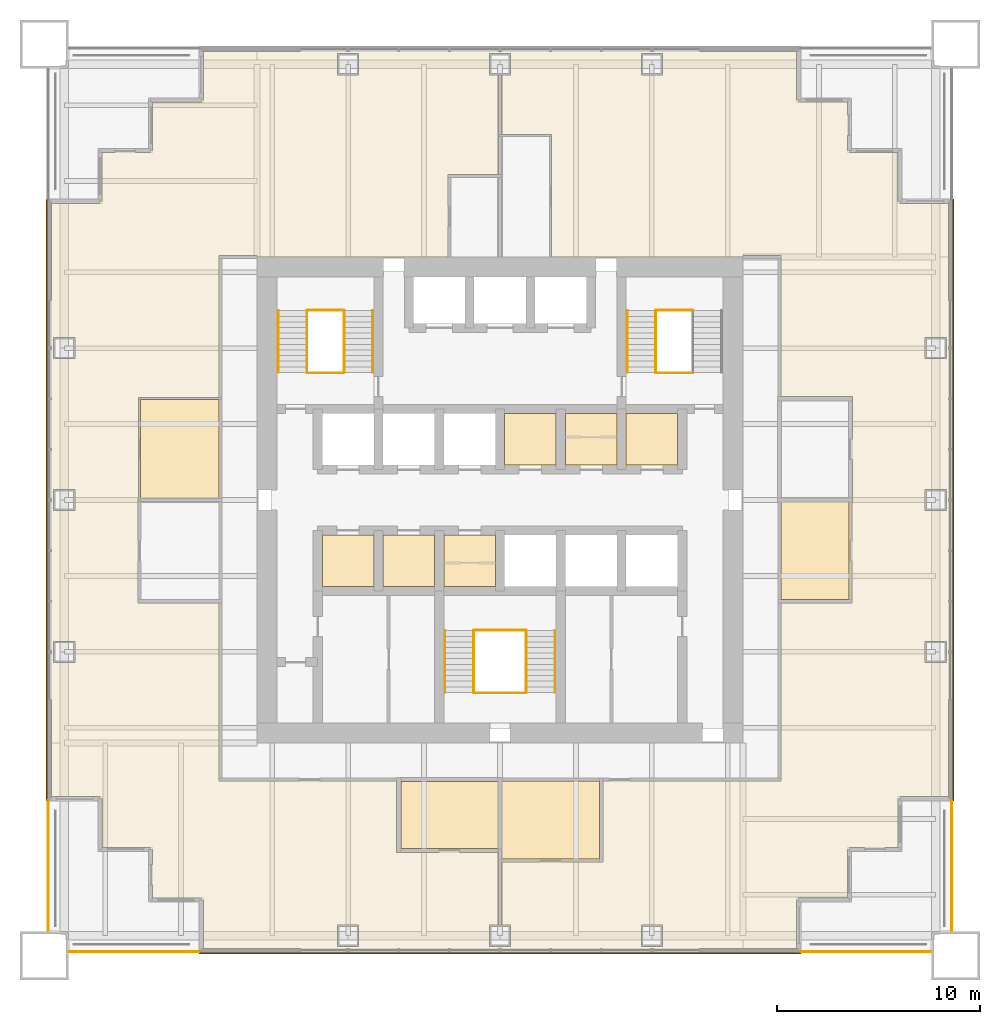
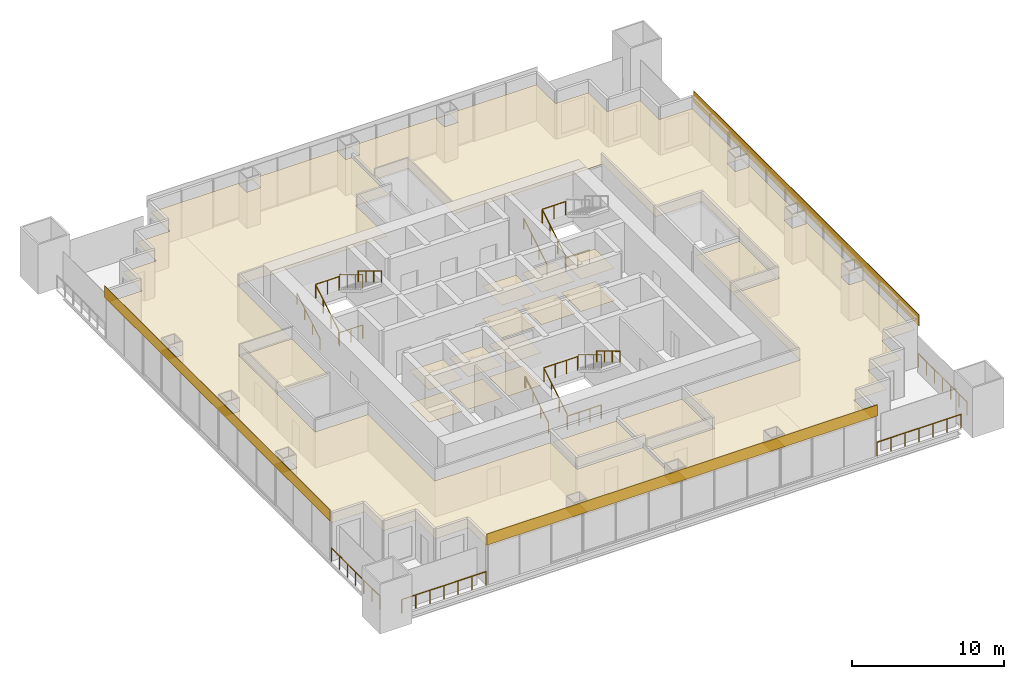
# One storey, part 12 of 13: 21 coverings, 20 railings.
"""IFC4 building model written with IfcOpenShell, lengths in metres."""

from ifc_helpers import new_model, si_unit, direction, frame, origin, origin_2d, place, context, subcontext, project, spatial, polyline, rectangle, circle, outline, extrude, material, layer, layer_set, type_object, element, save


model = new_model("IFC4")

# Units and contexts
model_context = context("Model", 3, precision=1e-05, world=origin(), true_north=direction((0.0, 1.0)))
body_context = subcontext(model_context, "Body", "Model", "MODEL_VIEW")
ifc_project = project(units=[si_unit("LENGTHUNIT", "METRE"), si_unit("AREAUNIT", "SQUARE_METRE"), si_unit("VOLUMEUNIT", "CUBIC_METRE"), si_unit("PLANEANGLEUNIT", "RADIAN"), si_unit("MASSUNIT", "GRAM", prefix="KILO")], contexts=[model_context])

# Site, building, storey
site_placement = place(None, origin())
site = spatial("IfcSite", under=ifc_project, at=site_placement, CompositionType="ELEMENT")
building_placement = place(site_placement, origin())
building = spatial("IfcBuilding", under=site, at=building_placement, Name="Tarangal Relay Tower", CompositionType="ELEMENT")
storey_placement = place(building_placement, frame((0.0, 0.0, 221.89990234375)))
storey = spatial("IfcBuildingStorey", under=building, at=storey_placement, Name="L47", CompositionType="ELEMENT", Elevation=221.89990234375)

# Coverings
ifc_material_1 = material(Name="Anti-static vinyl flooring", Category="plastic")
ifc_layer_1 = layer(ifc_material_1, 0.010009765625)
ifc_layer_set_1 = layer_set([ifc_layer_1], Name="Anti-static vinyl floor")
covering_type_1 = type_object("IfcCoveringType", Name="Anti-static vinyl floor", PredefinedType="FLOORING", material=ifc_layer_set_1)
covering_1_placement = place(storey_placement, origin())
element("IfcCovering", 1, at=covering_1_placement, inside=storey, type_object=covering_type_1, Name="Floor finish FL1 L47-T1", PredefinedType="FLOORING", context=body_context, shape_type="SweptSolid", body=[
    extrude(outline(polyline([(0.22509765625, 1.72509765625), (2.77490234375, 1.72509765625), (2.77490234375, 4.27490234375), (0.22509765625, 4.27490234375), (0.22509765625, 1.72509765625)])), origin(), (0.0, 0.0, 1.0), 0.010009765625),
])
covering_2_placement = place(storey_placement, origin())
element("IfcCovering", 2, at=covering_2_placement, inside=storey, type_object=covering_type_1, Name="Floor finish FL1 L47-T2", PredefinedType="FLOORING", context=body_context, shape_type="SweptSolid", body=[
    extrude(outline(polyline([(3.22509765625, 1.72509765625), (5.77490234375, 1.72509765625), (5.77490234375, 4.27490234375), (3.22509765625, 4.27490234375), (3.22509765625, 1.72509765625)])), origin(), (0.0, 0.0, 1.0), 0.010009765625),
])
covering_3_placement = place(storey_placement, origin())
element("IfcCovering", 3, at=covering_3_placement, inside=storey, type_object=covering_type_1, Name="Floor finish FL1 L47-T3", PredefinedType="FLOORING", context=body_context, shape_type="SweptSolid", body=[
    extrude(outline(polyline([(6.22509765625, 1.72509765625), (8.77490234375, 1.72509765625), (8.77490234375, 4.27490234375), (6.22509765625, 4.27490234375), (6.22509765625, 1.72509765625)])), origin(), (0.0, 0.0, 1.0), 0.010009765625),
])
covering_4_placement = place(storey_placement, origin())
element("IfcCovering", 4, at=covering_4_placement, inside=storey, type_object=covering_type_1, Name="Floor finish FL1 L47-S1", PredefinedType="FLOORING", context=body_context, shape_type="SweptSolid", body=[
    extrude(outline(polyline([(-8.77490234375, -4.27490234375), (-6.22509765625, -4.27490234375), (-6.22509765625, -1.72509765625), (-8.77490234375, -1.72509765625), (-8.77490234375, -4.27490234375)])), origin(), (0.0, 0.0, 1.0), 0.010009765625),
])
covering_5_placement = place(storey_placement, origin())
element("IfcCovering", 5, at=covering_5_placement, inside=storey, type_object=covering_type_1, Name="Floor finish FL1 L47-S2", PredefinedType="FLOORING", context=body_context, shape_type="SweptSolid", body=[
    extrude(outline(polyline([(-5.77490234375, -4.27490234375), (-3.22509765625, -4.27490234375), (-3.22509765625, -1.72509765625), (-5.77490234375, -1.72509765625), (-5.77490234375, -4.27490234375)])), origin(), (0.0, 0.0, 1.0), 0.010009765625),
])
covering_6_placement = place(storey_placement, origin())
element("IfcCovering", 6, at=covering_6_placement, inside=storey, type_object=covering_type_1, Name="Floor finish FL1 L47-S3", PredefinedType="FLOORING", context=body_context, shape_type="SweptSolid", body=[
    extrude(outline(polyline([(-2.77490234375, -4.27490234375), (-0.22509765625, -4.27490234375), (-0.22509765625, -1.72509765625), (-2.77490234375, -1.72509765625), (-2.77490234375, -4.27490234375)])), origin(), (0.0, 0.0, 1.0), 0.010009765625),
])
ifc_material_2 = material(Name="Black anodised aluminium cladding", Category="aluminium")
ifc_layer_2 = layer(ifc_material_2, 0.050048828125)
ifc_layer_set_2 = layer_set([ifc_layer_2], Name="Black metal spandrel band")
covering_type_2 = type_object("IfcCoveringType", Name="Black metal spandrel band", PredefinedType="CLADDING", material=ifc_layer_set_2)
for number, where, z_axis, x_axis, name in (
    (7, (22.375, 0.0, 3.250244140625), (0.0, 0.0, 1.0), (0.0, -1.0, 0.0), "Spandrel band SB1 E L47"),
    (8, (0.0, -22.375, 3.250244140625), (0.0, 0.0, 1.0), (-1.0, 0.0, 0.0), "Spandrel band SB1 S L47"),
    (9, (-22.375, 0.0, 3.250244140625), (0.0, 0.0, 1.0), (0.0, 1.0, 0.0), "Spandrel band SB1 W L47"),
):
    element("IfcCovering", number, at=place(storey_placement, frame(where, z_axis=z_axis, x_axis=x_axis)), inside=storey, type_object=covering_type_2, Name=name, PredefinedType="CLADDING", context=body_context, shape_type="SweptSolid", body=[
        extrude(rectangle(XDim=29.699951171875, YDim=0.050048828125, at=origin_2d()), origin(), (0.0, 0.0, 1.0), 0.89990234375),
    ])

# Railings
ifc_material_3 = material(Name="Steel guard, black finish", Category="steel")
railing_type_1 = type_object("IfcRailingType", Name="Stair guard 1100", PredefinedType="GUARDRAIL", material=ifc_material_3)
railing_1_placement = place(storey_placement, frame((-9.530029296875, 6.300048828125, 0.166748046875)))
element("IfcRailing", 10, at=railing_1_placement, inside=storey, type_object=railing_type_1, Name="Stair ST-A guard GR1 L47 flight 1", PredefinedType="GUARDRAIL", context=body_context, shape_type="SweptSolid", body=[
    extrude(circle(Radius=0.02392578125, at=origin_2d()), frame((0.0, 0.0, 1.076171875), z_axis=(0.0, 0.85685617095, 0.515555527858), x_axis=(-1.0, 0.0, 0.0)), (0.0, 0.0, 1.0), 3.555908203125),
    extrude(circle(Radius=0.02099609375, at=origin_2d()), origin(), (0.0, 0.0, 1.0), 1.052001953125),
    extrude(circle(Radius=0.02099609375, at=origin_2d()), frame((0.0, 1.015625, 0.611083984375)), (0.0, 0.0, 1.0), 1.052001953125),
    extrude(circle(Radius=0.02099609375, at=origin_2d()), frame((0.0, 2.03125, 1.22216796875)), (0.0, 0.0, 1.0), 1.052001953125),
    extrude(circle(Radius=0.02099609375, at=origin_2d()), frame((0.0, 3.046875, 1.833251953125)), (0.0, 0.0, 1.0), 1.052001953125),
])
railing_2_placement = place(storey_placement, frame((-7.695068359375, 9.346923828125, 2.166748046875)))
element("IfcRailing", 11, at=railing_2_placement, inside=storey, type_object=railing_type_1, Name="Stair ST-A guard GR1 L47 flight 2", PredefinedType="GUARDRAIL", context=body_context, shape_type="SweptSolid", body=[
    extrude(circle(Radius=0.02392578125, at=origin_2d()), frame((0.0, 0.0, 1.076171875), z_axis=(0.0, -0.85685617095, 0.515555527858), x_axis=(1.0, 0.0, 0.0)), (0.0, 0.0, 1.0), 3.555908203125),
    extrude(circle(Radius=0.02099609375, at=origin_2d()), origin(), (0.0, 0.0, 1.0), 1.052001953125),
    extrude(circle(Radius=0.02099609375, at=origin_2d()), frame((0.0, -1.015625, 0.611083984375)), (0.0, 0.0, 1.0), 1.052001953125),
    extrude(circle(Radius=0.02099609375, at=origin_2d()), frame((0.0, -2.03125, 1.22216796875)), (0.0, 0.0, 1.0), 1.052001953125),
    extrude(circle(Radius=0.02099609375, at=origin_2d()), frame((0.0, -3.046875, 1.833251953125)), (0.0, 0.0, 1.0), 1.052001953125),
])
for number, where, name in (
    (12, (-9.5, 6.27001953125, 0.0), "Stair ST-A landing guard GR1 L47"),
    (13, (-9.5, 9.376953125, 2.0), "Stair ST-A landing guard GR1 L47"),
):
    element("IfcRailing", number, at=place(storey_placement, frame(where)), inside=storey, type_object=railing_type_1, Name=name, PredefinedType="GUARDRAIL", context=body_context, shape_type="SweptSolid", body=[
        extrude(circle(Radius=0.02392578125, at=origin_2d()), frame((0.0, 0.0, 1.076171875), z_axis=(1.0, 0.0, 0.0), x_axis=(0.0, 1.0, 0.0)), (0.0, 0.0, 1.0), 1.77490234375),
        extrude(circle(Radius=0.02099609375, at=origin_2d()), origin(), (0.0, 0.0, 1.0), 1.052001953125),
        extrude(circle(Radius=0.02099609375, at=origin_2d()), frame((0.887451171875, 0.0, 0.0)), (0.0, 0.0, 1.0), 1.052001953125),
        extrude(circle(Radius=0.02099609375, at=origin_2d()), frame((1.77490234375, 0.0, 0.0)), (0.0, 0.0, 1.0), 1.052001953125),
    ])
railing_3_placement = place(storey_placement, frame((7.695068359375, 6.300048828125, 0.166748046875)))
element("IfcRailing", 14, at=railing_3_placement, inside=storey, type_object=railing_type_1, Name="Stair ST-B guard GR1 L47 flight 1", PredefinedType="GUARDRAIL", context=body_context, shape_type="SweptSolid", body=[
    extrude(circle(Radius=0.02392578125, at=origin_2d()), frame((0.0, 0.0, 1.076171875), z_axis=(0.0, 0.85685617095, 0.515555527858), x_axis=(-1.0, 0.0, 0.0)), (0.0, 0.0, 1.0), 3.555908203125),
    extrude(circle(Radius=0.02099609375, at=origin_2d()), origin(), (0.0, 0.0, 1.0), 1.052001953125),
    extrude(circle(Radius=0.02099609375, at=origin_2d()), frame((0.0, 1.015625, 0.611083984375)), (0.0, 0.0, 1.0), 1.052001953125),
    extrude(circle(Radius=0.02099609375, at=origin_2d()), frame((0.0, 2.03125, 1.22216796875)), (0.0, 0.0, 1.0), 1.052001953125),
    extrude(circle(Radius=0.02099609375, at=origin_2d()), frame((0.0, 3.046875, 1.833251953125)), (0.0, 0.0, 1.0), 1.052001953125),
])
for number, where, name in (
    (15, (7.72509765625, 6.27001953125, 0.0), "Stair ST-B landing guard GR1 L47"),
    (16, (7.72509765625, 9.376953125, 2.0), "Stair ST-B landing guard GR1 L47"),
):
    element("IfcRailing", number, at=place(storey_placement, frame(where)), inside=storey, type_object=railing_type_1, Name=name, PredefinedType="GUARDRAIL", context=body_context, shape_type="SweptSolid", body=[
        extrude(circle(Radius=0.02392578125, at=origin_2d()), frame((0.0, 0.0, 1.076171875), z_axis=(1.0, 0.0, 0.0), x_axis=(0.0, 1.0, 0.0)), (0.0, 0.0, 1.0), 1.77490234375),
        extrude(circle(Radius=0.02099609375, at=origin_2d()), origin(), (0.0, 0.0, 1.0), 1.052001953125),
        extrude(circle(Radius=0.02099609375, at=origin_2d()), frame((0.887451171875, 0.0, 0.0)), (0.0, 0.0, 1.0), 1.052001953125),
        extrude(circle(Radius=0.02099609375, at=origin_2d()), frame((1.77490234375, 0.0, 0.0)), (0.0, 0.0, 1.0), 1.052001953125),
    ])
railing_4_placement = place(storey_placement, frame((-1.304931640625, -9.5, 0.166748046875)))
element("IfcRailing", 17, at=railing_4_placement, inside=storey, type_object=railing_type_1, Name="Stair ST-C guard GR1 L47 flight 1", PredefinedType="GUARDRAIL", context=body_context, shape_type="SweptSolid", body=[
    extrude(circle(Radius=0.02392578125, at=origin_2d()), frame((0.0, 0.0, 1.076171875), z_axis=(0.0, 0.856874418557, 0.515525199018), x_axis=(-1.0, 0.0, 0.0)), (0.0, 0.0, 1.0), 3.55615234375),
    extrude(circle(Radius=0.02099609375, at=origin_2d()), origin(), (0.0, 0.0, 1.0), 1.052001953125),
    extrude(circle(Radius=0.02099609375, at=origin_2d()), frame((0.0, 1.015625, 0.611083984375)), (0.0, 0.0, 1.0), 1.052001953125),
    extrude(circle(Radius=0.02099609375, at=origin_2d()), frame((0.0, 2.031494140625, 1.22216796875)), (0.0, 0.0, 1.0), 1.052001953125),
    extrude(circle(Radius=0.02099609375, at=origin_2d()), frame((0.0, 3.047119140625, 1.833251953125)), (0.0, 0.0, 1.0), 1.052001953125),
])
railing_5_placement = place(storey_placement, frame((1.304931640625, -6.452880859375, 2.166748046875)))
element("IfcRailing", 18, at=railing_5_placement, inside=storey, type_object=railing_type_1, Name="Stair ST-C guard GR1 L47 flight 2", PredefinedType="GUARDRAIL", context=body_context, shape_type="SweptSolid", body=[
    extrude(circle(Radius=0.02392578125, at=origin_2d()), frame((0.0, 0.0, 1.076171875), z_axis=(0.0, -0.856874418557, 0.515525199018), x_axis=(1.0, 0.0, 0.0)), (0.0, 0.0, 1.0), 3.55615234375),
    extrude(circle(Radius=0.02099609375, at=origin_2d()), origin(), (0.0, 0.0, 1.0), 1.052001953125),
    extrude(circle(Radius=0.02099609375, at=origin_2d()), frame((0.0, -1.015625, 0.611083984375)), (0.0, 0.0, 1.0), 1.052001953125),
    extrude(circle(Radius=0.02099609375, at=origin_2d()), frame((0.0, -2.031494140625, 1.22216796875)), (0.0, 0.0, 1.0), 1.052001953125),
    extrude(circle(Radius=0.02099609375, at=origin_2d()), frame((0.0, -3.047119140625, 1.833251953125)), (0.0, 0.0, 1.0), 1.052001953125),
])
for number, where, name in (
    (19, (-1.27490234375, -9.530029296875, 0.0), "Stair ST-C landing guard GR1 L47"),
    (20, (-1.27490234375, -6.423095703125, 2.0), "Stair ST-C landing guard GR1 L47"),
):
    element("IfcRailing", number, at=place(storey_placement, frame(where)), inside=storey, type_object=railing_type_1, Name=name, PredefinedType="GUARDRAIL", context=body_context, shape_type="SweptSolid", body=[
        extrude(circle(Radius=0.02392578125, at=origin_2d()), frame((0.0, 0.0, 1.076171875), z_axis=(1.0, 0.0, 0.0), x_axis=(0.0, 1.0, 0.0)), (0.0, 0.0, 1.0), 2.5498046875),
        extrude(circle(Radius=0.02099609375, at=origin_2d()), origin(), (0.0, 0.0, 1.0), 1.052001953125),
        extrude(circle(Radius=0.02099609375, at=origin_2d()), frame((0.849853515625, 0.0, 0.0)), (0.0, 0.0, 1.0), 1.052001953125),
        extrude(circle(Radius=0.02099609375, at=origin_2d()), frame((1.699951171875, 0.0, 0.0)), (0.0, 0.0, 1.0), 1.052001953125),
        extrude(circle(Radius=0.02099609375, at=origin_2d()), frame((2.5498046875, 0.0, 0.0)), (0.0, 0.0, 1.0), 1.052001953125),
    ])
ifc_material_4 = material(Name="Steel handrail, black finish", Category="steel")
railing_type_2 = type_object("IfcRailingType", Name="Stair handrail 900", PredefinedType="HANDRAIL", material=ifc_material_4)
railing_6_placement = place(storey_placement, frame((-10.93994140625, 6.300048828125, 0.166748046875)))
element("IfcRailing", 21, at=railing_6_placement, inside=storey, type_object=railing_type_2, Name="Stair ST-A handrail HR1 L47 flight 1", PredefinedType="HANDRAIL", context=body_context, shape_type="SweptSolid", body=[
    extrude(circle(Radius=0.02392578125, at=origin_2d()), frame((0.0, 0.0, 0.8759765625), z_axis=(0.0, 0.85685617095, 0.515555527858), x_axis=(-1.0, 0.0, 0.0)), (0.0, 0.0, 1.0), 3.555908203125),
    extrude(circle(Radius=0.02099609375, at=origin_2d()), origin(), (0.0, 0.0, 1.0), 0.851806640625),
    extrude(circle(Radius=0.02099609375, at=origin_2d()), frame((0.0, 1.015625, 0.611083984375)), (0.0, 0.0, 1.0), 0.851806640625),
    extrude(circle(Radius=0.02099609375, at=origin_2d()), frame((0.0, 2.03125, 1.22216796875)), (0.0, 0.0, 1.0), 0.851806640625),
    extrude(circle(Radius=0.02099609375, at=origin_2d()), frame((0.0, 3.046875, 1.833251953125)), (0.0, 0.0, 1.0), 0.851806640625),
])
railing_7_placement = place(storey_placement, frame((-6.284912109375, 9.346923828125, 2.166748046875)))
element("IfcRailing", 22, at=railing_7_placement, inside=storey, type_object=railing_type_2, Name="Stair ST-A handrail HR1 L47 flight 2", PredefinedType="HANDRAIL", context=body_context, shape_type="SweptSolid", body=[
    extrude(circle(Radius=0.02392578125, at=origin_2d()), frame((0.0, 0.0, 0.8759765625), z_axis=(0.0, -0.85685617095, 0.515555527858), x_axis=(1.0, 0.0, 0.0)), (0.0, 0.0, 1.0), 3.555908203125),
    extrude(circle(Radius=0.02099609375, at=origin_2d()), origin(), (0.0, 0.0, 1.0), 0.851806640625),
    extrude(circle(Radius=0.02099609375, at=origin_2d()), frame((0.0, -1.015625, 0.611083984375)), (0.0, 0.0, 1.0), 0.851806640625),
    extrude(circle(Radius=0.02099609375, at=origin_2d()), frame((0.0, -2.03125, 1.22216796875)), (0.0, 0.0, 1.0), 0.851806640625),
    extrude(circle(Radius=0.02099609375, at=origin_2d()), frame((0.0, -3.046875, 1.833251953125)), (0.0, 0.0, 1.0), 0.851806640625),
])
railing_8_placement = place(storey_placement, frame((6.284912109375, 6.300048828125, 0.166748046875)))
element("IfcRailing", 23, at=railing_8_placement, inside=storey, type_object=railing_type_2, Name="Stair ST-B handrail HR1 L47 flight 1", PredefinedType="HANDRAIL", context=body_context, shape_type="SweptSolid", body=[
    extrude(circle(Radius=0.02392578125, at=origin_2d()), frame((0.0, 0.0, 0.8759765625), z_axis=(0.0, 0.85685617095, 0.515555527858), x_axis=(-1.0, 0.0, 0.0)), (0.0, 0.0, 1.0), 3.555908203125),
    extrude(circle(Radius=0.02099609375, at=origin_2d()), origin(), (0.0, 0.0, 1.0), 0.851806640625),
    extrude(circle(Radius=0.02099609375, at=origin_2d()), frame((0.0, 1.015625, 0.611083984375)), (0.0, 0.0, 1.0), 0.851806640625),
    extrude(circle(Radius=0.02099609375, at=origin_2d()), frame((0.0, 2.03125, 1.22216796875)), (0.0, 0.0, 1.0), 0.851806640625),
    extrude(circle(Radius=0.02099609375, at=origin_2d()), frame((0.0, 3.046875, 1.833251953125)), (0.0, 0.0, 1.0), 0.851806640625),
])
railing_9_placement = place(storey_placement, frame((-2.715087890625, -9.5, 0.166748046875)))
element("IfcRailing", 24, at=railing_9_placement, inside=storey, type_object=railing_type_2, Name="Stair ST-C handrail HR1 L47 flight 1", PredefinedType="HANDRAIL", context=body_context, shape_type="SweptSolid", body=[
    extrude(circle(Radius=0.02392578125, at=origin_2d()), frame((0.0, 0.0, 0.8759765625), z_axis=(0.0, 0.856874418557, 0.515525199018), x_axis=(-1.0, 0.0, 0.0)), (0.0, 0.0, 1.0), 3.55615234375),
    extrude(circle(Radius=0.02099609375, at=origin_2d()), origin(), (0.0, 0.0, 1.0), 0.851806640625),
    extrude(circle(Radius=0.02099609375, at=origin_2d()), frame((0.0, 1.015625, 0.611083984375)), (0.0, 0.0, 1.0), 0.851806640625),
    extrude(circle(Radius=0.02099609375, at=origin_2d()), frame((0.0, 2.031494140625, 1.22216796875)), (0.0, 0.0, 1.0), 0.851806640625),
    extrude(circle(Radius=0.02099609375, at=origin_2d()), frame((0.0, 3.047119140625, 1.833251953125)), (0.0, 0.0, 1.0), 0.851806640625),
])
railing_10_placement = place(storey_placement, frame((2.715087890625, -6.452880859375, 2.166748046875)))
element("IfcRailing", 25, at=railing_10_placement, inside=storey, type_object=railing_type_2, Name="Stair ST-C handrail HR1 L47 flight 2", PredefinedType="HANDRAIL", context=body_context, shape_type="SweptSolid", body=[
    extrude(circle(Radius=0.02392578125, at=origin_2d()), frame((0.0, 0.0, 0.8759765625), z_axis=(0.0, -0.856874418557, 0.515525199018), x_axis=(1.0, 0.0, 0.0)), (0.0, 0.0, 1.0), 3.55615234375),
    extrude(circle(Radius=0.02099609375, at=origin_2d()), origin(), (0.0, 0.0, 1.0), 0.851806640625),
    extrude(circle(Radius=0.02099609375, at=origin_2d()), frame((0.0, -1.015625, 0.611083984375)), (0.0, 0.0, 1.0), 0.851806640625),
    extrude(circle(Radius=0.02099609375, at=origin_2d()), frame((0.0, -2.031494140625, 1.22216796875)), (0.0, 0.0, 1.0), 0.851806640625),
    extrude(circle(Radius=0.02099609375, at=origin_2d()), frame((0.0, -3.047119140625, 1.833251953125)), (0.0, 0.0, 1.0), 0.851806640625),
])

# Coverings
ifc_material_5 = material(Name="Mineral fibre ceiling tiles", Category="gypsum")
ifc_layer_3 = layer(ifc_material_5, 0.02001953125)
ifc_layer_set_3 = layer_set([ifc_layer_3], Name="Suspended ceiling")
covering_type_3 = type_object("IfcCoveringType", Name="Suspended ceiling", PredefinedType="CEILING", material=ifc_layer_set_3)
covering_7_placement = place(storey_placement, frame((0.0, 0.0, 2.60009765625)))
element("IfcCovering", 26, at=covering_7_placement, inside=storey, type_object=covering_type_3, Name="Suspended ceiling CL1 L47-T1", PredefinedType="CEILING", context=body_context, shape_type="SweptSolid", body=[
    extrude(outline(polyline([(0.22509765625, 1.72509765625), (2.77490234375, 1.72509765625), (2.77490234375, 4.27490234375), (0.22509765625, 4.27490234375), (0.22509765625, 1.72509765625)])), origin(), (0.0, 0.0, 1.0), 0.02001953125),
])
covering_8_placement = place(storey_placement, frame((0.0, 0.0, 2.60009765625)))
element("IfcCovering", 27, at=covering_8_placement, inside=storey, type_object=covering_type_3, Name="Suspended ceiling CL1 L47-T2", PredefinedType="CEILING", context=body_context, shape_type="SweptSolid", body=[
    extrude(outline(polyline([(3.22509765625, 1.72509765625), (5.77490234375, 1.72509765625), (5.77490234375, 4.27490234375), (3.22509765625, 4.27490234375), (3.22509765625, 1.72509765625)])), origin(), (0.0, 0.0, 1.0), 0.02001953125),
])
covering_9_placement = place(storey_placement, frame((0.0, 0.0, 2.60009765625)))
element("IfcCovering", 28, at=covering_9_placement, inside=storey, type_object=covering_type_3, Name="Suspended ceiling CL1 L47-T3", PredefinedType="CEILING", context=body_context, shape_type="SweptSolid", body=[
    extrude(outline(polyline([(6.22509765625, 1.72509765625), (8.77490234375, 1.72509765625), (8.77490234375, 4.27490234375), (6.22509765625, 4.27490234375), (6.22509765625, 1.72509765625)])), origin(), (0.0, 0.0, 1.0), 0.02001953125),
])
covering_10_placement = place(storey_placement, frame((0.0, 0.0, 2.60009765625)))
element("IfcCovering", 29, at=covering_10_placement, inside=storey, type_object=covering_type_3, Name="Suspended ceiling CL1 L47-S1", PredefinedType="CEILING", context=body_context, shape_type="SweptSolid", body=[
    extrude(outline(polyline([(-8.77490234375, -4.27490234375), (-6.22509765625, -4.27490234375), (-6.22509765625, -1.72509765625), (-8.77490234375, -1.72509765625), (-8.77490234375, -4.27490234375)])), origin(), (0.0, 0.0, 1.0), 0.02001953125),
])
covering_11_placement = place(storey_placement, frame((0.0, 0.0, 2.60009765625)))
element("IfcCovering", 30, at=covering_11_placement, inside=storey, type_object=covering_type_3, Name="Suspended ceiling CL1 L47-S2", PredefinedType="CEILING", context=body_context, shape_type="SweptSolid", body=[
    extrude(outline(polyline([(-5.77490234375, -4.27490234375), (-3.22509765625, -4.27490234375), (-3.22509765625, -1.72509765625), (-5.77490234375, -1.72509765625), (-5.77490234375, -4.27490234375)])), origin(), (0.0, 0.0, 1.0), 0.02001953125),
])
covering_12_placement = place(storey_placement, frame((0.0, 0.0, 2.60009765625)))
element("IfcCovering", 31, at=covering_12_placement, inside=storey, type_object=covering_type_3, Name="Suspended ceiling CL1 L47-S3", PredefinedType="CEILING", context=body_context, shape_type="SweptSolid", body=[
    extrude(outline(polyline([(-2.77490234375, -4.27490234375), (-0.22509765625, -4.27490234375), (-0.22509765625, -1.72509765625), (-2.77490234375, -1.72509765625), (-2.77490234375, -4.27490234375)])), origin(), (0.0, 0.0, 1.0), 0.02001953125),
])
covering_13_placement = place(storey_placement, frame((0.0, 0.0, 2.900146484375)))
element("IfcCovering", 32, at=covering_13_placement, inside=storey, type_object=covering_type_3, Name="Suspended ceiling CL1 L47-05", PredefinedType="CEILING", context=body_context, shape_type="SweptSolid", body=[
    extrude(outline(polyline([(17.22509765625, -4.925048828125), (17.22509765625, -0.10009765625), (13.875, -0.10009765625), (13.875, -4.925048828125), (17.22509765625, -4.925048828125)])), origin(), (0.0, 0.0, 1.0), 0.02001953125),
])
covering_14_placement = place(storey_placement, frame((0.0, 0.0, 2.900146484375)))
element("IfcCovering", 33, at=covering_14_placement, inside=storey, type_object=covering_type_3, Name="Suspended ceiling CL1 L47-06", PredefinedType="CEILING", context=body_context, shape_type="SweptSolid", body=[
    extrude(outline(polyline([(0.074951171875, -17.39990234375), (0.074951171875, -17.72509765625), (4.925048828125, -17.72509765625), (4.925048828125, -13.875), (0.10009765625, -13.875), (0.10009765625, -17.39990234375), (0.074951171875, -17.39990234375)])), origin(), (0.0, 0.0, 1.0), 0.02001953125),
])
covering_15_placement = place(storey_placement, frame((0.0, 0.0, 2.900146484375)))
element("IfcCovering", 34, at=covering_15_placement, inside=storey, type_object=covering_type_3, Name="Suspended ceiling CL1 L47-07", PredefinedType="CEILING", context=body_context, shape_type="SweptSolid", body=[
    extrude(outline(polyline([(-4.89990234375, -13.89990234375), (-4.89990234375, -17.199951171875), (-0.10009765625, -17.199951171875), (-0.10009765625, -13.89990234375), (-4.89990234375, -13.89990234375)])), origin(), (0.0, 0.0, 1.0), 0.02001953125),
])
covering_16_placement = place(storey_placement, frame((0.0, 0.0, 2.900146484375)))
element("IfcCovering", 35, at=covering_16_placement, inside=storey, type_object=covering_type_3, Name="Suspended ceiling CL1 L47-09", PredefinedType="CEILING", context=body_context, shape_type="SweptSolid", body=[
    extrude(outline(polyline([(-13.875, 4.949951171875), (-17.75, 4.949951171875), (-17.75, 0.074951171875), (-13.875, 0.074951171875), (-13.875, 4.949951171875)])), origin(), (0.0, 0.0, 1.0), 0.02001953125),
])
covering_17_placement = place(storey_placement, frame((0.0, 0.0, 2.900146484375)))
element("IfcCovering", 36, at=covering_17_placement, inside=storey, type_object=covering_type_3, Name="Suspended ceiling CL1 L47-10", PredefinedType="CEILING", context=body_context, shape_type="SweptSolid", body=[
    extrude(outline(polyline([(-2.574951171875, 16.074951171875), (-0.074951171875, 16.074951171875), (-0.074951171875, 20.989990234375), (-0.52490234375, 20.989990234375), (-0.52490234375, 22.0400390625), (0.0, 22.0400390625), (0.0, 22.14990234375), (-14.64990234375, 22.14990234375), (-14.64990234375, 19.64990234375), (-17.14990234375, 19.64990234375), (-17.14990234375, 17.14990234375), (-19.64990234375, 17.14990234375), (-19.64990234375, 14.64990234375), (-22.14990234375, 14.64990234375), (-22.14990234375, -14.64990234375), (-19.64990234375, -14.64990234375), (-19.64990234375, -17.14990234375), (-17.14990234375, -17.14990234375), (-17.14990234375, -19.64990234375), (-14.64990234375, -19.64990234375), (-14.64990234375, -22.14990234375), (0.0, -22.14990234375), (0.0, -22.0400390625), (-0.52490234375, -22.0400390625), (-0.52490234375, -20.989990234375), (-0.074951171875, -20.989990234375), (-0.074951171875, -17.39990234375), (-5.10009765625, -17.39990234375), (-5.10009765625, -13.875), (-13.875, -13.875), (-13.875, -5.074951171875), (-17.875, -5.074951171875), (-17.875, 0.074951171875), (-17.85009765625, 0.074951171875), (-17.85009765625, 5.050048828125), (-13.875, 5.050048828125), (-13.875, 12.074951171875), (-12.0, 12.074951171875), (-12.0, 12.0), (-2.574951171875, 12.0), (-2.574951171875, 16.074951171875)]), holes=[polyline([(-8.02490234375, -22.0400390625), (-6.97509765625, -22.0400390625), (-6.97509765625, -20.989990234375), (-8.02490234375, -20.989990234375), (-8.02490234375, -22.0400390625)]), polyline([(-22.0400390625, -6.97509765625), (-22.0400390625, -8.02490234375), (-20.989990234375, -8.02490234375), (-20.989990234375, -6.97509765625), (-22.0400390625, -6.97509765625)]), polyline([(-22.0400390625, 0.52490234375), (-22.0400390625, -0.52490234375), (-20.989990234375, -0.52490234375), (-20.989990234375, 0.52490234375), (-22.0400390625, 0.52490234375)]), polyline([(-22.0400390625, 8.02490234375), (-22.0400390625, 6.97509765625), (-20.989990234375, 6.97509765625), (-20.989990234375, 8.02490234375), (-22.0400390625, 8.02490234375)]), polyline([(-8.02490234375, 22.0400390625), (-8.02490234375, 20.989990234375), (-6.97509765625, 20.989990234375), (-6.97509765625, 22.0400390625), (-8.02490234375, 22.0400390625)])]), origin(), (0.0, 0.0, 1.0), 0.02001953125),
])
covering_18_placement = place(storey_placement, frame((0.0, 0.0, 2.900146484375)))
element("IfcCovering", 37, at=covering_18_placement, inside=storey, type_object=covering_type_3, Name="Suspended ceiling CL1 L47-11", PredefinedType="CEILING", context=body_context, shape_type="SweptSolid", body=[
    extrude(outline(polyline([(12.0, 12.074951171875), (13.875, 12.074951171875), (13.875, 5.10009765625), (17.39990234375, 5.10009765625), (17.39990234375, -0.10009765625), (17.375, -0.10009765625), (17.375, -5.074951171875), (13.875, -5.074951171875), (13.875, -13.875), (5.074951171875, -13.875), (5.074951171875, -17.875), (0.074951171875, -17.875), (0.074951171875, -20.989990234375), (0.52490234375, -20.989990234375), (0.52490234375, -22.0400390625), (0.0, -22.0400390625), (0.0, -22.14990234375), (14.64990234375, -22.14990234375), (14.64990234375, -19.64990234375), (17.14990234375, -19.64990234375), (17.14990234375, -17.14990234375), (19.64990234375, -17.14990234375), (19.64990234375, -14.64990234375), (22.14990234375, -14.64990234375), (22.14990234375, 14.64990234375), (19.64990234375, 14.64990234375), (19.64990234375, 17.14990234375), (17.14990234375, 17.14990234375), (17.14990234375, 19.64990234375), (14.64990234375, 19.64990234375), (14.64990234375, 22.14990234375), (0.0, 22.14990234375), (0.0, 22.0400390625), (0.52490234375, 22.0400390625), (0.52490234375, 20.989990234375), (0.074951171875, 20.989990234375), (0.074951171875, 18.050048828125), (2.550048828125, 18.050048828125), (2.550048828125, 12.0), (12.0, 12.0), (12.0, 12.074951171875)]), holes=[polyline([(6.97509765625, -20.989990234375), (6.97509765625, -22.0400390625), (8.02490234375, -22.0400390625), (8.02490234375, -20.989990234375), (6.97509765625, -20.989990234375)]), polyline([(20.989990234375, -6.97509765625), (20.989990234375, -8.02490234375), (22.0400390625, -8.02490234375), (22.0400390625, -6.97509765625), (20.989990234375, -6.97509765625)]), polyline([(20.989990234375, 0.52490234375), (20.989990234375, -0.52490234375), (22.0400390625, -0.52490234375), (22.0400390625, 0.52490234375), (20.989990234375, 0.52490234375)]), polyline([(20.989990234375, 8.02490234375), (20.989990234375, 6.97509765625), (22.0400390625, 6.97509765625), (22.0400390625, 8.02490234375), (20.989990234375, 8.02490234375)]), polyline([(6.97509765625, 22.0400390625), (6.97509765625, 20.989990234375), (8.02490234375, 20.989990234375), (8.02490234375, 22.0400390625), (6.97509765625, 22.0400390625)])]), origin(), (0.0, 0.0, 1.0), 0.02001953125),
])

# Railings
ifc_material_6 = material(Name="Black steel guard with glass infill", Category="steel")
railing_type_3 = type_object("IfcRailingType", Name="Terrace guard 1100", PredefinedType="GUARDRAIL", material=ifc_material_6)
railing_11_placement = place(storey_placement, frame((22.300048828125, -14.85009765625, 0.0)))
element("IfcRailing", 38, at=railing_11_placement, inside=storey, type_object=railing_type_3, Name="Terrace guard GR2 SE L47", PredefinedType="GUARDRAIL", context=body_context, shape_type="SweptSolid", body=[
    extrude(circle(Radius=0.02392578125, at=origin_2d()), frame((0.0, 0.0, 1.076171875), z_axis=(0.0, -1.0, 0.0), x_axis=(1.0, 0.0, 0.0)), (0.0, 0.0, 1.0), 6.39990234375),
    extrude(circle(Radius=0.02099609375, at=origin_2d()), origin(), (0.0, 0.0, 1.0), 1.052001953125),
    extrude(circle(Radius=0.02099609375, at=origin_2d()), frame((0.0, -1.066650390625, 0.0)), (0.0, 0.0, 1.0), 1.052001953125),
    extrude(circle(Radius=0.02099609375, at=origin_2d()), frame((0.0, -2.13330078125, 0.0)), (0.0, 0.0, 1.0), 1.052001953125),
    extrude(circle(Radius=0.02099609375, at=origin_2d()), frame((0.0, -3.199951171875, 0.0)), (0.0, 0.0, 1.0), 1.052001953125),
    extrude(circle(Radius=0.02099609375, at=origin_2d()), frame((0.0, -4.2666015625, 0.0)), (0.0, 0.0, 1.0), 1.052001953125),
    extrude(circle(Radius=0.02099609375, at=origin_2d()), frame((0.0, -5.333251953125, 0.0)), (0.0, 0.0, 1.0), 1.052001953125),
    extrude(circle(Radius=0.02099609375, at=origin_2d()), frame((0.0, -6.39990234375, 0.0)), (0.0, 0.0, 1.0), 1.052001953125),
])
for number, where, name in (
    (39, (21.25, -22.300048828125, 0.0), "Terrace guard GR2 SE L47"),
    (40, (-14.85009765625, -22.300048828125, 0.0), "Terrace guard GR2 SW L47"),
):
    element("IfcRailing", number, at=place(storey_placement, frame(where)), inside=storey, type_object=railing_type_3, Name=name, PredefinedType="GUARDRAIL", context=body_context, shape_type="SweptSolid", body=[
        extrude(circle(Radius=0.02392578125, at=origin_2d()), frame((0.0, 0.0, 1.076171875), z_axis=(-1.0, 0.0, 0.0), x_axis=(0.0, -1.0, 0.0)), (0.0, 0.0, 1.0), 6.39990234375),
        extrude(circle(Radius=0.02099609375, at=origin_2d()), origin(), (0.0, 0.0, 1.0), 1.052001953125),
        extrude(circle(Radius=0.02099609375, at=origin_2d()), frame((-1.066650390625, 0.0, 0.0)), (0.0, 0.0, 1.0), 1.052001953125),
        extrude(circle(Radius=0.02099609375, at=origin_2d()), frame((-2.13330078125, 0.0, 0.0)), (0.0, 0.0, 1.0), 1.052001953125),
        extrude(circle(Radius=0.02099609375, at=origin_2d()), frame((-3.199951171875, 0.0, 0.0)), (0.0, 0.0, 1.0), 1.052001953125),
        extrude(circle(Radius=0.02099609375, at=origin_2d()), frame((-4.2666015625, 0.0, 0.0)), (0.0, 0.0, 1.0), 1.052001953125),
        extrude(circle(Radius=0.02099609375, at=origin_2d()), frame((-5.333251953125, 0.0, 0.0)), (0.0, 0.0, 1.0), 1.052001953125),
        extrude(circle(Radius=0.02099609375, at=origin_2d()), frame((-6.39990234375, 0.0, 0.0)), (0.0, 0.0, 1.0), 1.052001953125),
    ])
railing_12_placement = place(storey_placement, frame((-22.300048828125, -21.25, 0.0)))
element("IfcRailing", 41, at=railing_12_placement, inside=storey, type_object=railing_type_3, Name="Terrace guard GR2 SW L47", PredefinedType="GUARDRAIL", context=body_context, shape_type="SweptSolid", body=[
    extrude(circle(Radius=0.02392578125, at=origin_2d()), frame((0.0, 0.0, 1.076171875), z_axis=(0.0, 1.0, 0.0), x_axis=(-1.0, 0.0, 0.0)), (0.0, 0.0, 1.0), 6.39990234375),
    extrude(circle(Radius=0.02099609375, at=origin_2d()), origin(), (0.0, 0.0, 1.0), 1.052001953125),
    extrude(circle(Radius=0.02099609375, at=origin_2d()), frame((0.0, 1.066650390625, 0.0)), (0.0, 0.0, 1.0), 1.052001953125),
    extrude(circle(Radius=0.02099609375, at=origin_2d()), frame((0.0, 2.13330078125, 0.0)), (0.0, 0.0, 1.0), 1.052001953125),
    extrude(circle(Radius=0.02099609375, at=origin_2d()), frame((0.0, 3.199951171875, 0.0)), (0.0, 0.0, 1.0), 1.052001953125),
    extrude(circle(Radius=0.02099609375, at=origin_2d()), frame((0.0, 4.2666015625, 0.0)), (0.0, 0.0, 1.0), 1.052001953125),
    extrude(circle(Radius=0.02099609375, at=origin_2d()), frame((0.0, 5.333251953125, 0.0)), (0.0, 0.0, 1.0), 1.052001953125),
    extrude(circle(Radius=0.02099609375, at=origin_2d()), frame((0.0, 6.39990234375, 0.0)), (0.0, 0.0, 1.0), 1.052001953125),
])

save(model, "model.ifc")
